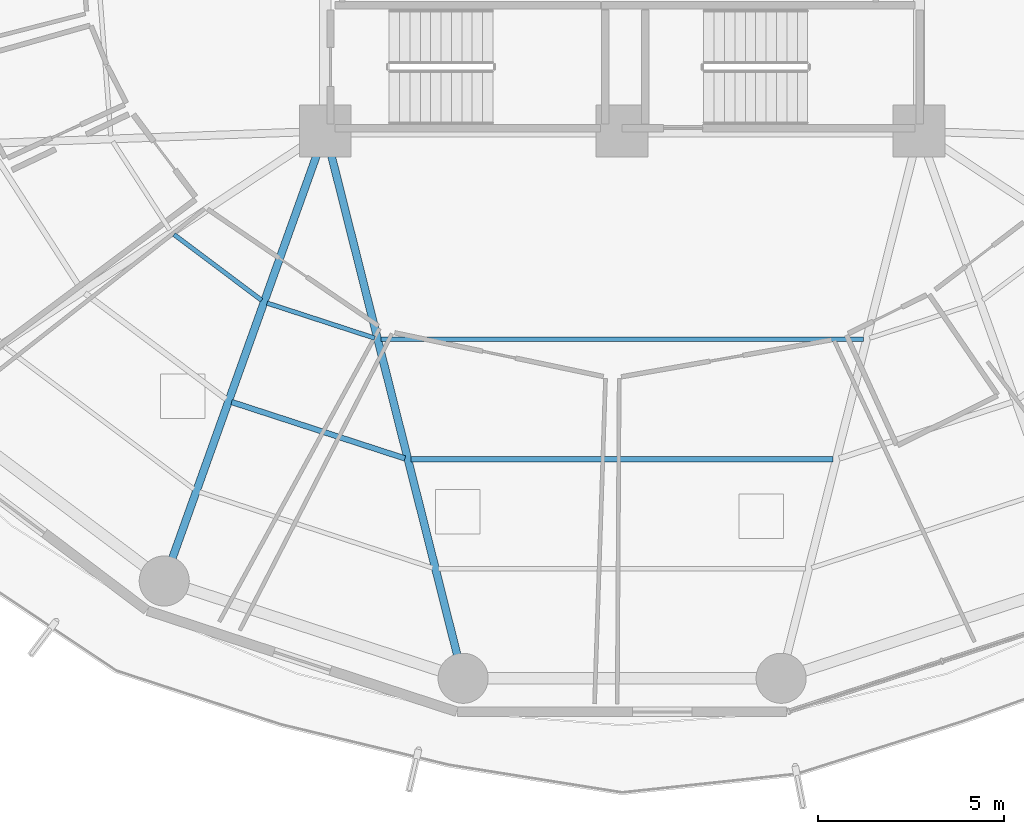
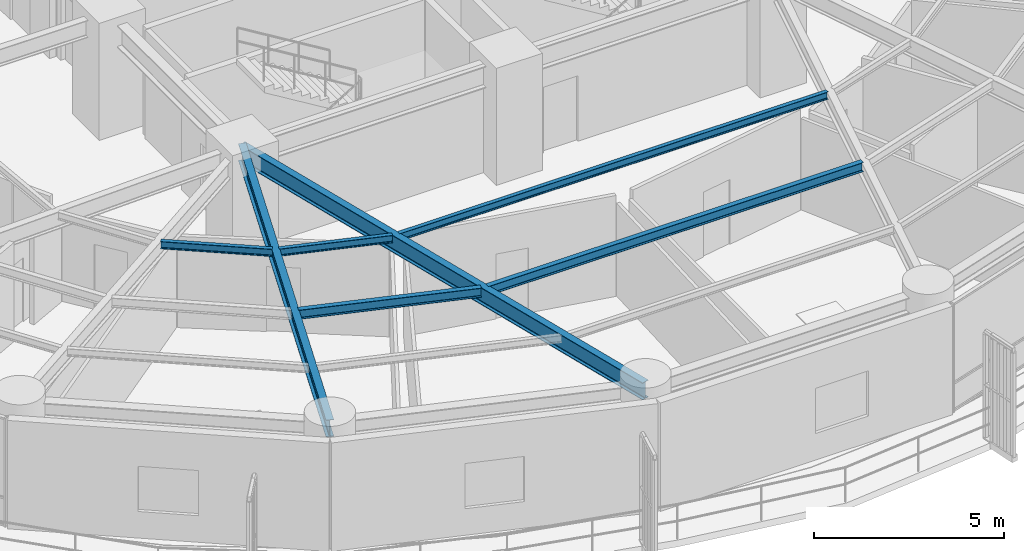
# One storey, part 5 of 36: 7 beams.
"""IFC4 building model written with IfcOpenShell, lengths in metres."""

from ifc_helpers import new_model, si_unit, direction, frame, origin, origin_2d, place, context, subcontext, project, spatial, i_section, extrude, material, material_profile, profile_set, type_object, element, save


model = new_model("IFC4")

# Units and contexts
model_context = context("Model", 3, precision=1e-05, world=origin(), true_north=direction((0.0, 1.0)))
body_context = subcontext(model_context, "Body", "Model", "MODEL_VIEW")
ifc_project = project(units=[si_unit("LENGTHUNIT", "METRE"), si_unit("AREAUNIT", "SQUARE_METRE"), si_unit("VOLUMEUNIT", "CUBIC_METRE"), si_unit("PLANEANGLEUNIT", "RADIAN"), si_unit("MASSUNIT", "GRAM", prefix="KILO")], contexts=[model_context])

# Site, building, storey
site_placement = place(None, origin())
site = spatial("IfcSite", under=ifc_project, at=site_placement, CompositionType="ELEMENT")
building_placement = place(site_placement, origin())
building = spatial("IfcBuilding", under=site, at=building_placement, Name="Kelanora Arch Commons", CompositionType="ELEMENT")
storey_placement = place(building_placement, frame((0.0, 0.0, 98.85009765625)))
storey = spatial("IfcBuildingStorey", under=building, at=storey_placement, Name="L25", CompositionType="ELEMENT", Elevation=98.85009765625)

# Beams
ifc_material = material(Name="Steel S355", Category="steel")
ifc_material_profile_1 = material_profile(ifc_material, i_section(OverallWidth=0.14990234375, OverallDepth=0.300048828125, WebThickness=0.007080078125, FlangeThickness=0.0107421875, FilletRadius=0.014892578125, at=origin_2d()), Name="IPE300")
ifc_profile_set_1 = profile_set([ifc_material_profile_1], Name="Steel S355")
beam_type_1 = type_object("IfcBeamType", Name="BM-JST-01", PredefinedType="JOIST", material=ifc_profile_set_1)
beam_1_placement = place(storey_placement, frame((63.476806640625, 43.70068359375, 3.33984375), z_axis=(0.950857140254, -0.309629938521, 0.0), x_axis=(0.309629938521, 0.950857140254, 0.0)))
element("IfcBeam", 1, at=beam_1_placement, inside=storey, type_object=beam_type_1, Name="Secondary Chord Joist BJB-24 L25", PredefinedType="JOIST", context=body_context, shape_type="SweptSolid", body=[
    extrude(i_section(OverallWidth=0.14990234375, OverallDepth=0.300048828125, WebThickness=0.007080078125, FlangeThickness=0.0107421875, FilletRadius=0.014892578125, at=origin_2d()), origin(), (0.0, 0.0, 1.0), 4.912353515625),
])
beam_2_placement = place(storey_placement, frame((68.313720703125, 42.1533203125, 3.33984375), z_axis=(1.0, 0.0, 0.0), x_axis=(0.0, 1.0, 0.0)))
element("IfcBeam", 2, at=beam_2_placement, inside=storey, type_object=beam_type_1, Name="Secondary Chord Joist BJB-26 L25", PredefinedType="JOIST", context=body_context, shape_type="SweptSolid", body=[
    extrude(i_section(OverallWidth=0.14990234375, OverallDepth=0.300048828125, WebThickness=0.007080078125, FlangeThickness=0.0107421875, FilletRadius=0.014892578125, at=origin_2d()), origin(), (0.0, 0.0, 1.0), 11.37255859375),
])
ifc_material_profile_2 = material_profile(ifc_material, i_section(OverallWidth=0.1201171875, OverallDepth=0.239990234375, WebThickness=0.006103515625, FlangeThickness=0.009765625, FilletRadius=0.014892578125, at=origin_2d()), Name="IPE240")
ifc_profile_set_2 = profile_set([ifc_material_profile_2], Name="Steel S355")
beam_type_2 = type_object("IfcBeamType", Name="BM-JST-02", PredefinedType="JOIST", material=ifc_profile_set_2)
beam_3_placement = place(storey_placement, frame((61.923583984375, 48.2158203125, 3.369873046875), z_axis=(0.799692034361, -0.600410401458, 0.0), x_axis=(0.600410401458, 0.799692034361, 0.0)))
element("IfcBeam", 3, at=beam_3_placement, inside=storey, type_object=beam_type_2, Name="Secondary Chord Joist BJA-22 L25", PredefinedType="JOIST", context=body_context, shape_type="SweptSolid", body=[
    extrude(i_section(OverallWidth=0.1201171875, OverallDepth=0.239990234375, WebThickness=0.006103515625, FlangeThickness=0.009765625, FilletRadius=0.014892578125, at=origin_2d()), origin(), (0.0, 0.0, 1.0), 2.949951171875),
])
beam_4_placement = place(storey_placement, frame((64.431640625, 46.367431640625, 3.369873046875), z_axis=(0.950846758946, -0.309661817151, 0.0), x_axis=(0.309661817151, 0.950846758946, 0.0)))
element("IfcBeam", 4, at=beam_4_placement, inside=storey, type_object=beam_type_2, Name="Secondary Chord Joist BJA-24 L25", PredefinedType="JOIST", context=body_context, shape_type="SweptSolid", body=[
    extrude(i_section(OverallWidth=0.1201171875, OverallDepth=0.239990234375, WebThickness=0.006103515625, FlangeThickness=0.009765625, FilletRadius=0.014892578125, at=origin_2d()), origin(), (0.0, 0.0, 1.0), 3.048828125),
])
beam_5_placement = place(storey_placement, frame((67.49658203125, 45.397216796875, 3.369873046875), z_axis=(1.0, 0.0, 0.0), x_axis=(0.0, 1.0, 0.0)))
element("IfcBeam", 5, at=beam_5_placement, inside=storey, type_object=beam_type_2, Name="Secondary Chord Joist BJA-26 L25", PredefinedType="JOIST", context=body_context, shape_type="SweptSolid", body=[
    extrude(i_section(OverallWidth=0.1201171875, OverallDepth=0.239990234375, WebThickness=0.006103515625, FlangeThickness=0.009765625, FilletRadius=0.014892578125, at=origin_2d()), origin(), (0.0, 0.0, 1.0), 13.0068359375),
])
ifc_material_profile_3 = material_profile(ifc_material, i_section(OverallWidth=0.2099609375, OverallDepth=0.550048828125, WebThickness=0.010986328125, FlangeThickness=0.01708984375, FilletRadius=0.02392578125, at=origin_2d()), Name="IPE550")
ifc_profile_set_3 = profile_set([ifc_material_profile_3], Name="Steel S355")
beam_type_3 = type_object("IfcBeamType", Name="BM-RAD-Z2", PredefinedType="BEAM", material=ifc_profile_set_3)
beam_6_placement = place(storey_placement, frame((66.0, 51.0, 3.21484375), z_axis=(-0.337084640008, -0.941474346687, 0.0), x_axis=(0.941474346687, -0.337084640008, 0.0)))
element("IfcBeam", 6, at=beam_6_placement, inside=storey, type_object=beam_type_3, Name="Radial Floor Girder BR-24 L25", PredefinedType="BEAM", context=body_context, shape_type="SweptSolid", body=[
    extrude(i_section(OverallWidth=0.2099609375, OverallDepth=0.550048828125, WebThickness=0.010986328125, FlangeThickness=0.01708984375, FilletRadius=0.02392578125, at=origin_2d()), origin(), (0.0, 0.0, 1.0), 12.875244140625),
])
beam_7_placement = place(storey_placement, frame((66.0, 51.0, 3.21484375), z_axis=(0.244280647475, -0.969704576286, 0.0), x_axis=(0.969704576286, 0.244280647475, 0.0)))
element("IfcBeam", 7, at=beam_7_placement, inside=storey, type_object=beam_type_3, Name="Radial Floor Girder BR-26 L25", PredefinedType="BEAM", context=body_context, shape_type="SweptSolid", body=[
    extrude(i_section(OverallWidth=0.2099609375, OverallDepth=0.550048828125, WebThickness=0.010986328125, FlangeThickness=0.01708984375, FilletRadius=0.02392578125, at=origin_2d()), origin(), (0.0, 0.0, 1.0), 15.205322265625),
])

save(model, "model.ifc")
